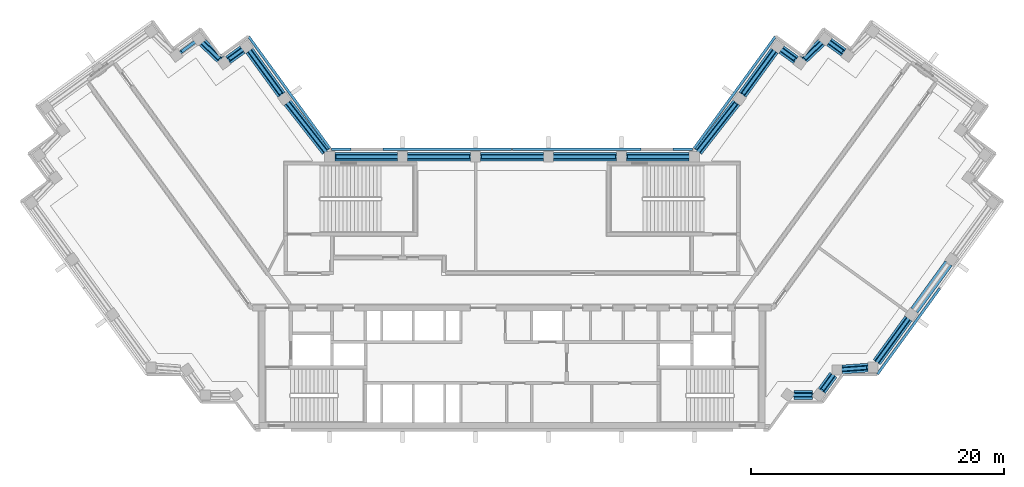
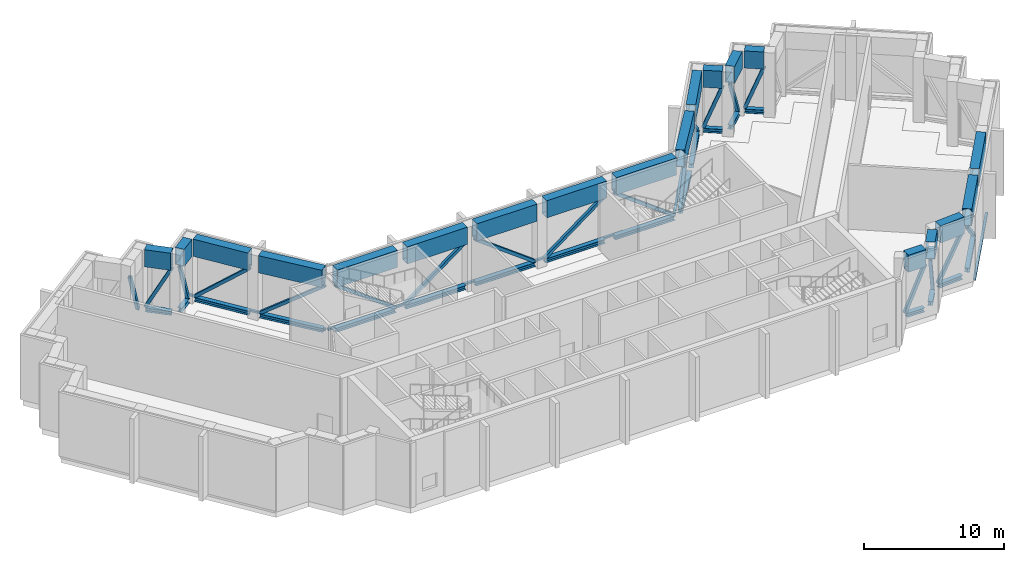
"""IFC4 building model written with IfcOpenShell, lengths in metres."""

from ifc_helpers import new_model, si_unit, direction, frame, origin, origin_2d, place, context, subcontext, project, spatial, rectangle, hollow_rectangle, i_section, extrude, material, material_profile, profile_set, type_object, element, aggregate, save


model = new_model("IFC4")

# Units and contexts
model_context = context("Model", 3, precision=1e-05, world=origin(), true_north=direction((0.0, 1.0)))
body_context = subcontext(model_context, "Body", "Model", "MODEL_VIEW")
ifc_project = project(units=[si_unit("LENGTHUNIT", "METRE"), si_unit("AREAUNIT", "SQUARE_METRE"), si_unit("VOLUMEUNIT", "CUBIC_METRE"), si_unit("PLANEANGLEUNIT", "RADIAN"), si_unit("MASSUNIT", "GRAM", prefix="KILO")], contexts=[model_context])

# Site, building, storey
site_placement = place(None, origin())
site = spatial("IfcSite", under=ifc_project, at=site_placement, CompositionType="ELEMENT")
building_placement = place(site_placement, origin())
building = spatial("IfcBuilding", under=site, at=building_placement, Name="Quipu Civic Tower", CompositionType="ELEMENT")
storey_1_placement = place(building_placement, frame((0.0, 0.0, 301.0)))
storey_1 = spatial("IfcBuildingStorey", under=building, at=storey_1_placement, Name="L70", CompositionType="ELEMENT", Elevation=301.0)

# Beams
ifc_material_1 = material(Name="Steel ASTM A992 Grade 50 (fy 345 MPa)", Category="steel")
ifc_material_profile_1 = material_profile(ifc_material_1, i_section(OverallWidth=0.368896484375, OverallDepth=0.356201171875, WebThickness=0.01123046875, FlangeThickness=0.01806640625, at=origin_2d()), Name="W360x134")
ifc_profile_set_1 = profile_set([ifc_material_profile_1], Name="Steel ASTM A992 Grade 50 (fy 345 MPa)")
beam_type_1 = type_object("IfcBeamType", Name="Belt truss bottom chord W360x134", PredefinedType="BEAM", material=ifc_profile_set_1)
beam_1_placement = place(storey_1_placement, frame((-18.208984375, 15.3984375, 0.278076171875), z_axis=(-0.58812775221, 0.808768042816, 0.0), x_axis=(-0.808768042816, -0.58812775221, 0.0)))
element("IfcBeam", 1, at=beam_1_placement, inside=storey_1, type_object=beam_type_1, Name="Truss bottom chord L70 W-IN-01 to T-Wi.0-W22", PredefinedType="BEAM", context=body_context, shape_type="SweptSolid", body=[
    extrude(i_section(OverallWidth=0.368896484375, OverallDepth=0.356201171875, WebThickness=0.01123046875, FlangeThickness=0.01806640625, at=origin_2d()), origin(), (0.0, 0.0, 1.0), 4.29443359375),
])
beam_2_placement = place(storey_1_placement, frame((-21.293701171875, 18.960205078125, 0.278076171875), z_axis=(-0.809452764948, -0.587184997524, 0.0), x_axis=(0.587184997524, -0.809452764948, 0.0)))
element("IfcBeam", 2, at=beam_2_placement, inside=storey_1, type_object=beam_type_1, Name="Truss bottom chord L70 T-Wi.0-W22 to T-Wi.1-W22", PredefinedType="BEAM", context=body_context, shape_type="SweptSolid", body=[
    extrude(i_section(OverallWidth=0.368896484375, OverallDepth=0.356201171875, WebThickness=0.01123046875, FlangeThickness=0.01806640625, at=origin_2d()), origin(), (0.0, 0.0, 1.0), 1.398193359375),
])
beam_3_placement = place(storey_1_placement, frame((-23.044189453125, 18.184326171875, 0.278076171875), z_axis=(-0.72506883804, 0.688676397232, 0.0), x_axis=(-0.688676397232, -0.72506883804, 0.0)))
element("IfcBeam", 3, at=beam_3_placement, inside=storey_1, type_object=beam_type_1, Name="Truss bottom chord L70 T-Wi.1-W22 to T-Wi.2-W22", PredefinedType="BEAM", context=body_context, shape_type="SweptSolid", body=[
    extrude(i_section(OverallWidth=0.368896484375, OverallDepth=0.356201171875, WebThickness=0.01123046875, FlangeThickness=0.01806640625, at=origin_2d()), origin(), (0.0, 0.0, 1.0), 1.93212890625),
])
beam_4_placement = place(storey_1_placement, frame((22.2861328125, -8.31494140625, 0.278076171875), z_axis=(1.0, 0.0, 0.0), x_axis=(0.0, 1.0, 0.0)))
element("IfcBeam", 4, at=beam_4_placement, inside=storey_1, type_object=beam_type_1, Name="Truss bottom chord L70 J-Eo.1 to J-Eo.2", PredefinedType="BEAM", context=body_context, shape_type="SweptSolid", body=[
    extrude(i_section(OverallWidth=0.368896484375, OverallDepth=0.356201171875, WebThickness=0.01123046875, FlangeThickness=0.01806640625, at=origin_2d()), origin(), (0.0, 0.0, 1.0), 1.454345703125),
])
beam_5_placement = place(storey_1_placement, frame((24.470458984375, -7.991455078125, 0.278076171875), z_axis=(0.588405601119, 0.808565920981, 0.0), x_axis=(-0.808565920981, 0.588405601119, 0.0)))
element("IfcBeam", 5, at=beam_5_placement, inside=storey_1, type_object=beam_type_1, Name="Truss bottom chord L70 J-Eo.2 to J-Eo.3", PredefinedType="BEAM", context=body_context, shape_type="SweptSolid", body=[
    extrude(i_section(OverallWidth=0.368896484375, OverallDepth=0.356201171875, WebThickness=0.01123046875, FlangeThickness=0.01806640625, at=origin_2d()), origin(), (0.0, 0.0, 1.0), 1.55126953125),
])
beam_6_placement = place(storey_1_placement, frame((26.074462890625, -6.307861328125, 0.278076171875), z_axis=(0.997372997143, 0.072436900614, 0.0), x_axis=(-0.072436900614, 0.997372997143, 0.0)))
element("IfcBeam", 6, at=beam_6_placement, inside=storey_1, type_object=beam_type_1, Name="Truss bottom chord L70 J-Eo.3 to J-Eo.4", PredefinedType="BEAM", context=body_context, shape_type="SweptSolid", body=[
    extrude(i_section(OverallWidth=0.368896484375, OverallDepth=0.356201171875, WebThickness=0.01123046875, FlangeThickness=0.01806640625, at=origin_2d()), origin(), (0.0, 0.0, 1.0), 2.055908203125),
])
beam_7_placement = place(storey_1_placement, frame((28.815673828125, -5.72998046875, 0.278076171875), z_axis=(0.58776850526, 0.809029161541, 0.0), x_axis=(-0.809029161541, 0.58776850526, 0.0)))
element("IfcBeam", 7, at=beam_7_placement, inside=storey_1, type_object=beam_type_1, Name="Truss bottom chord L70 J-Eo.4 to E-OUT-01", PredefinedType="BEAM", context=body_context, shape_type="SweptSolid", body=[
    extrude(i_section(OverallWidth=0.368896484375, OverallDepth=0.356201171875, WebThickness=0.01123046875, FlangeThickness=0.01806640625, at=origin_2d()), origin(), (0.0, 0.0, 1.0), 4.249267578125),
])
beam_8_placement = place(storey_1_placement, frame((26.195556640625, 18.73583984375, 0.278076171875), z_axis=(-0.808600329101, 0.588358315805, 0.0), x_axis=(-0.588358315805, -0.808600329101, 0.0)))
element("IfcBeam", 8, at=beam_8_placement, inside=storey_1, type_object=beam_type_1, Name="Truss bottom chord L70 T-Ei.1-E22 to T-Ei.2-E22", PredefinedType="BEAM", context=body_context, shape_type="SweptSolid", body=[
    extrude(i_section(OverallWidth=0.368896484375, OverallDepth=0.356201171875, WebThickness=0.01123046875, FlangeThickness=0.01806640625, at=origin_2d()), origin(), (0.0, 0.0, 1.0), 1.400146484375),
])
beam_9_placement = place(storey_1_placement, frame((24.445068359375, 19.514892578125, 0.278076171875), z_axis=(-0.72506883804, -0.688676397232, 0.0), x_axis=(0.688676397232, -0.72506883804, 0.0)))
element("IfcBeam", 9, at=beam_9_placement, inside=storey_1, type_object=beam_type_1, Name="Truss bottom chord L70 T-Ei.2-E22 to T-Ei.3-E22", PredefinedType="BEAM", context=body_context, shape_type="SweptSolid", body=[
    extrude(i_section(OverallWidth=0.368896484375, OverallDepth=0.356201171875, WebThickness=0.01123046875, FlangeThickness=0.01806640625, at=origin_2d()), origin(), (0.0, 0.0, 1.0), 1.93212890625),
])
beam_10_placement = place(storey_1_placement, frame((22.425537109375, 18.13916015625, 0.278076171875), z_axis=(-0.809452764948, 0.587184997524, 0.0), x_axis=(-0.587184997524, -0.809452764948, 0.0)))
element("IfcBeam", 10, at=beam_10_placement, inside=storey_1, type_object=beam_type_1, Name="Truss bottom chord L70 T-Ei.3-E22 to T-Ei.4-E22", PredefinedType="BEAM", context=body_context, shape_type="SweptSolid", body=[
    extrude(i_section(OverallWidth=0.368896484375, OverallDepth=0.356201171875, WebThickness=0.01123046875, FlangeThickness=0.01806640625, at=origin_2d()), origin(), (0.0, 0.0, 1.0), 1.398193359375),
])
beam_11_placement = place(storey_1_placement, frame((20.734619140625, 18.87158203125, 0.278076171875), z_axis=(-0.58812775221, -0.808768042816, 0.0), x_axis=(0.808768042816, -0.58812775221, 0.0)))
element("IfcBeam", 11, at=beam_11_placement, inside=storey_1, type_object=beam_type_1, Name="Truss bottom chord L70 T-Ei.4-E22 to E-IN-01", PredefinedType="BEAM", context=body_context, shape_type="SweptSolid", body=[
    extrude(i_section(OverallWidth=0.368896484375, OverallDepth=0.356201171875, WebThickness=0.01123046875, FlangeThickness=0.01806640625, at=origin_2d()), origin(), (0.0, 0.0, 1.0), 4.29443359375),
])
beam_12_placement = place(storey_1_placement, frame((17.72705078125, 14.759765625, 0.278076171875), z_axis=(-0.616090612932, -0.787675286306, 0.0), x_axis=(0.787675286306, -0.616090612932, 0.0)))
element("IfcBeam", 12, at=beam_12_placement, inside=storey_1, type_object=beam_type_1, Name="Truss bottom chord L70 E-IN-01 to J-Ei.0", PredefinedType="BEAM", context=body_context, shape_type="SweptSolid", body=[
    extrude(i_section(OverallWidth=0.368896484375, OverallDepth=0.356201171875, WebThickness=0.01123046875, FlangeThickness=0.01806640625, at=origin_2d()), origin(), (0.0, 0.0, 1.0), 4.900390625),
])
for number, where, z_axis, x_axis, name in (
    (13, (13.9951171875, 10.5, 0.278076171875), (-1.0, 0.0, 0.0), (0.0, -1.0, 0.0), "Truss bottom chord L70 J-Ei.0 to FRONT-01"),
    (14, (8.237060546875, 10.5, 0.278076171875), (-1.0, 0.0, 0.0), (0.0, -1.0, 0.0), "Truss bottom chord L70 FRONT-01 to FRONT-02"),
    (15, (2.47900390625, 10.5, 0.278076171875), (-1.0, 0.0, 0.0), (0.0, -1.0, 0.0), "Truss bottom chord L70 FRONT-02 to FRONT-03"),
    (16, (-3.279052734375, 10.5, 0.278076171875), (-1.0, 0.0, 0.0), (0.0, -1.0, 0.0), "Truss bottom chord L70 FRONT-03 to FRONT-04"),
    (17, (-9.037109375, 10.5, 0.278076171875), (-1.0, 0.0, 0.0), (0.0, -1.0, 0.0), "Truss bottom chord L70 FRONT-04 to J-Wi.0"),
):
    element("IfcBeam", number, at=place(storey_1_placement, frame(where, z_axis=z_axis, x_axis=x_axis)), inside=storey_1, type_object=beam_type_1, Name=name, PredefinedType="BEAM", context=body_context, shape_type="SweptSolid", body=[
        extrude(i_section(OverallWidth=0.368896484375, OverallDepth=0.356201171875, WebThickness=0.01123046875, FlangeThickness=0.01806640625, at=origin_2d()), origin(), (0.0, 0.0, 1.0), 4.9580078125),
    ])
beam_13_placement = place(storey_1_placement, frame((-14.7080078125, 10.89990234375, 0.278076171875), z_axis=(-0.616090612932, 0.787675286306, 0.0), x_axis=(-0.787675286306, -0.616090612932, 0.0)))
element("IfcBeam", 18, at=beam_13_placement, inside=storey_1, type_object=beam_type_1, Name="Truss bottom chord L70 J-Wi.0 to W-IN-01", PredefinedType="BEAM", context=body_context, shape_type="SweptSolid", body=[
    extrude(i_section(OverallWidth=0.368896484375, OverallDepth=0.356201171875, WebThickness=0.01123046875, FlangeThickness=0.01806640625, at=origin_2d()), origin(), (0.0, 0.0, 1.0), 4.900390625),
])

# Members
ifc_material_2 = material(Name="Steel ASTM A500 Grade C (fy 345 MPa)", Category="steel")
ifc_material_profile_2 = material_profile(ifc_material_2, hollow_rectangle(XDim=0.25390625, YDim=0.25390625, WallThickness=0.0126953125, at=origin_2d()), Name="HSS254x254x13")
ifc_profile_set_2 = profile_set([ifc_material_profile_2], Name="Steel ASTM A500 Grade C (fy 345 MPa)")
member_type_1 = type_object("IfcMemberType", Name="Belt truss diagonal HSS254x254x13", PredefinedType="BRACE", material=ifc_profile_set_2)
member_1_placement = place(storey_1_placement, frame((-18.208984375, 15.3984375, 4.14990234375), z_axis=(-0.445874108354, 0.613146937211, -0.652109739913), x_axis=(-0.808768042816, -0.58812775221, 0.0)))
element("IfcMember", 19, at=member_1_placement, inside=storey_1, type_object=member_type_1, Name="Truss diagonal L70 W-IN-01 to T-Wi.0-W22", PredefinedType="BRACE", context=body_context, shape_type="SweptSolid", body=[
    extrude(hollow_rectangle(XDim=0.25390625, YDim=0.25390625, WallThickness=0.0126953125, at=origin_2d()), origin(), (0.0, 0.0, 1.0), 5.66455078125),
])
member_2_placement = place(storey_1_placement, frame((-21.293701171875, 18.960205078125, 0.4560546875), z_axis=(-0.286566661556, -0.207878274981, 0.935235890712), x_axis=(0.587184997524, -0.809452764948, 0.0)))
element("IfcMember", 20, at=member_2_placement, inside=storey_1, type_object=member_type_1, Name="Truss diagonal L70 T-Wi.0-W22 to T-Wi.1-W22", PredefinedType="BRACE", context=body_context, shape_type="SweptSolid", body=[
    extrude(hollow_rectangle(XDim=0.25390625, YDim=0.25390625, WallThickness=0.0126953125, at=origin_2d()), origin(), (0.0, 0.0, 1.0), 3.94970703125),
])
member_3_placement = place(storey_1_placement, frame((-23.039306640625, 18.1796875, 4.14990234375), z_axis=(-0.337888769734, 0.320930004898, -0.884779696447), x_axis=(-0.688676903117, -0.725068357545, 0.0)))
element("IfcMember", 21, at=member_3_placement, inside=storey_1, type_object=member_type_1, Name="Truss diagonal L70 T-Wi.1-W22 to T-Wi.2-W22", PredefinedType="BRACE", context=body_context, shape_type="SweptSolid", body=[
    extrude(hollow_rectangle(XDim=0.25390625, YDim=0.25390625, WallThickness=0.0126953125, at=origin_2d()), origin(), (0.0, 0.0, 1.0), 4.1748046875),
])
member_4_placement = place(storey_1_placement, frame((-25.0634765625, 19.5595703125, 0.4560546875), z_axis=(-0.28658282793, -0.208525007858, 0.935086949879), x_axis=(0.588358315805, -0.808600329101, 0.0)))
element("IfcMember", 22, at=member_4_placement, inside=storey_1, type_object=member_type_1, Name="Truss diagonal L70 T-Wi.2-W22 to T-Wi.3-W22", PredefinedType="BRACE", context=body_context, shape_type="SweptSolid", body=[
    extrude(hollow_rectangle(XDim=0.25390625, YDim=0.25390625, WallThickness=0.0126953125, at=origin_2d()), origin(), (0.0, 0.0, 1.0), 3.9501953125),
])
member_5_placement = place(storey_1_placement, frame((22.19189453125, -8.31494140625, 0.4560546875), z_axis=(0.406418602557, 0.0, 0.913686992079), x_axis=(0.0, 1.0, 0.0)))
element("IfcMember", 23, at=member_5_placement, inside=storey_1, type_object=member_type_1, Name="Truss diagonal L70 J-Eo.1 to J-Eo.2", PredefinedType="BRACE", context=body_context, shape_type="SweptSolid", body=[
    extrude(hollow_rectangle(XDim=0.25390625, YDim=0.25390625, WallThickness=0.0126953125, at=origin_2d()), origin(), (0.0, 0.0, 1.0), 4.042724609375),
])
member_6_placement = place(storey_1_placement, frame((24.470458984375, -7.991455078125, 4.14990234375), z_axis=(0.239489967764, 0.329140232985, -0.913406405917), x_axis=(-0.808601379045, 0.58835687283, 0.0)))
element("IfcMember", 24, at=member_6_placement, inside=storey_1, type_object=member_type_1, Name="Truss diagonal L70 J-Eo.2 to J-Eo.3", PredefinedType="BRACE", context=body_context, shape_type="SweptSolid", body=[
    extrude(hollow_rectangle(XDim=0.25390625, YDim=0.25390625, WallThickness=0.0126953125, at=origin_2d()), origin(), (0.0, 0.0, 1.0), 4.0439453125),
])
member_7_placement = place(storey_1_placement, frame((26.0732421875, -6.30810546875, 0.4560546875), z_axis=(0.485448497566, 0.035277001904, 0.873553255015), x_axis=(-0.072477769643, 0.997370028078, 0.0)))
element("IfcMember", 25, at=member_7_placement, inside=storey_1, type_object=member_type_1, Name="Truss diagonal L70 J-Eo.3 to J-Eo.4", PredefinedType="BRACE", context=body_context, shape_type="SweptSolid", body=[
    extrude(hollow_rectangle(XDim=0.25390625, YDim=0.25390625, WallThickness=0.0126953125, at=origin_2d()), origin(), (0.0, 0.0, 1.0), 4.228515625),
])
member_8_placement = place(storey_1_placement, frame((28.760009765625, -5.806396484375, 4.14990234375), z_axis=(0.447776863455, 0.616303324973, -0.647816403143), x_axis=(-0.809013069445, 0.587790654457, 0.0)))
element("IfcMember", 26, at=member_8_placement, inside=storey_1, type_object=member_type_1, Name="Truss diagonal L70 J-Eo.4 to E-OUT-01", PredefinedType="BRACE", context=body_context, shape_type="SweptSolid", body=[
    extrude(hollow_rectangle(XDim=0.25390625, YDim=0.25390625, WallThickness=0.0126953125, at=origin_2d()), origin(), (0.0, 0.0, 1.0), 5.701904296875),
])
member_9_placement = place(storey_1_placement, frame((26.195556640625, 18.73583984375, 4.14990234375), z_axis=(-0.28658282793, 0.208525007858, -0.935086949879), x_axis=(-0.588358315805, -0.808600329101, 0.0)))
element("IfcMember", 27, at=member_9_placement, inside=storey_1, type_object=member_type_1, Name="Truss diagonal L70 T-Ei.1-E22 to T-Ei.2-E22", PredefinedType="BRACE", context=body_context, shape_type="SweptSolid", body=[
    extrude(hollow_rectangle(XDim=0.25390625, YDim=0.25390625, WallThickness=0.0126953125, at=origin_2d()), origin(), (0.0, 0.0, 1.0), 3.9501953125),
])
member_10_placement = place(storey_1_placement, frame((24.449951171875, 19.51953125, 0.4560546875), z_axis=(-0.337888769734, -0.320930004898, 0.884779696447), x_axis=(0.688676903117, -0.725068357545, 0.0)))
element("IfcMember", 28, at=member_10_placement, inside=storey_1, type_object=member_type_1, Name="Truss diagonal L70 T-Ei.2-E22 to T-Ei.3-E22", PredefinedType="BRACE", context=body_context, shape_type="SweptSolid", body=[
    extrude(hollow_rectangle(XDim=0.25390625, YDim=0.25390625, WallThickness=0.0126953125, at=origin_2d()), origin(), (0.0, 0.0, 1.0), 4.1748046875),
])
member_11_placement = place(storey_1_placement, frame((22.425537109375, 18.13916015625, 4.14990234375), z_axis=(-0.286566661556, 0.207878274981, -0.935235890712), x_axis=(-0.587184997524, -0.809452764948, 0.0)))
element("IfcMember", 29, at=member_11_placement, inside=storey_1, type_object=member_type_1, Name="Truss diagonal L70 T-Ei.3-E22 to T-Ei.4-E22", PredefinedType="BRACE", context=body_context, shape_type="SweptSolid", body=[
    extrude(hollow_rectangle(XDim=0.25390625, YDim=0.25390625, WallThickness=0.0126953125, at=origin_2d()), origin(), (0.0, 0.0, 1.0), 3.94970703125),
])
member_12_placement = place(storey_1_placement, frame((20.734619140625, 18.87158203125, 0.4560546875), z_axis=(-0.445874108354, -0.613146937211, 0.652109739913), x_axis=(0.808768042816, -0.58812775221, 0.0)))
element("IfcMember", 30, at=member_12_placement, inside=storey_1, type_object=member_type_1, Name="Truss diagonal L70 T-Ei.4-E22 to E-IN-01", PredefinedType="BRACE", context=body_context, shape_type="SweptSolid", body=[
    extrude(hollow_rectangle(XDim=0.25390625, YDim=0.25390625, WallThickness=0.0126953125, at=origin_2d()), origin(), (0.0, 0.0, 1.0), 5.66455078125),
])
member_13_placement = place(storey_1_placement, frame((17.72705078125, 14.760009765625, 4.14990234375), z_axis=(-0.49581112429, -0.633906958876, -0.593576698093), x_axis=(0.787679847042, -0.616084781961, 0.0)))
element("IfcMember", 31, at=member_13_placement, inside=storey_1, type_object=member_type_1, Name="Truss diagonal L70 E-IN-01 to J-Ei.0", PredefinedType="BRACE", context=body_context, shape_type="SweptSolid", body=[
    extrude(hollow_rectangle(XDim=0.25390625, YDim=0.25390625, WallThickness=0.0126953125, at=origin_2d()), origin(), (0.0, 0.0, 1.0), 6.22314453125),
])
for number, where, z_axis, x_axis, name in (
    (32, (13.9951171875, 10.5, 0.4560546875), (-0.801910277593, 0.0, 0.597444480007), (0.0, -1.0, 0.0), "Truss diagonal L70 J-Ei.0 to FRONT-01"),
    (33, (8.237060546875, 10.5, 4.14990234375), (-0.801910277593, 0.0, -0.597444480007), (0.0, -1.0, 0.0), "Truss diagonal L70 FRONT-01 to FRONT-02"),
    (34, (2.47900390625, 10.5, 0.4560546875), (-0.801910277593, 0.0, 0.597444480007), (0.0, -1.0, 0.0), "Truss diagonal L70 FRONT-02 to FRONT-03"),
    (35, (-3.279052734375, 10.5, 4.14990234375), (-0.801910277593, 0.0, -0.597444480007), (0.0, -1.0, 0.0), "Truss diagonal L70 FRONT-03 to FRONT-04"),
    (36, (-9.037109375, 10.5, 0.4560546875), (-0.801910277593, 0.0, 0.597444480007), (0.0, -1.0, 0.0), "Truss diagonal L70 FRONT-04 to J-Wi.0"),
):
    element("IfcMember", number, at=place(storey_1_placement, frame(where, z_axis=z_axis, x_axis=x_axis)), inside=storey_1, type_object=member_type_1, Name=name, PredefinedType="BRACE", context=body_context, shape_type="SweptSolid", body=[
        extrude(hollow_rectangle(XDim=0.25390625, YDim=0.25390625, WallThickness=0.0126953125, at=origin_2d()), origin(), (0.0, 0.0, 1.0), 6.182861328125),
    ])
member_14_placement = place(storey_1_placement, frame((-14.6416015625, 10.815185546875, 4.14990234375), z_axis=(-0.49581112429, 0.633906958876, -0.593576698093), x_axis=(-0.787679847042, -0.616084781961, 0.0)))
element("IfcMember", 37, at=member_14_placement, inside=storey_1, type_object=member_type_1, Name="Truss diagonal L70 J-Wi.0 to W-IN-01", PredefinedType="BRACE", context=body_context, shape_type="SweptSolid", body=[
    extrude(hollow_rectangle(XDim=0.25390625, YDim=0.25390625, WallThickness=0.0126953125, at=origin_2d()), origin(), (0.0, 0.0, 1.0), 6.22314453125),
])

# Beams
ifc_material_3 = material(Name="Steel ASTM A572 Grade 50 (fy 345 MPa)", Category="steel")
ifc_material_profile_3 = material_profile(ifc_material_3, hollow_rectangle(XDim=0.699951171875, YDim=1.5, WallThickness=0.050048828125, at=origin_2d()), Name="BX1500x700x50")
ifc_profile_set_3 = profile_set([ifc_material_profile_3], Name="Steel ASTM A572 Grade 50 (fy 345 MPa)")
beam_type_2 = type_object("IfcBeamType", Name="Belt truss top chord BX1500x700x50", PredefinedType="BEAM", material=ifc_profile_set_3)
beam_14_placement = place(storey_1_placement, frame((-18.208984375, 15.3984375, 4.89990234375), z_axis=(-0.58812775221, 0.808768042816, 0.0), x_axis=(-0.808768042816, -0.58812775221, 0.0)))
element("IfcBeam", 38, at=beam_14_placement, inside=storey_1, type_object=beam_type_2, Name="Truss top chord L70 W-IN-01 to T-Wi.0-W22", PredefinedType="BEAM", context=body_context, shape_type="SweptSolid", body=[
    extrude(hollow_rectangle(XDim=0.699951171875, YDim=1.5, WallThickness=0.050048828125, at=origin_2d()), origin(), (0.0, 0.0, 1.0), 4.29443359375),
])
beam_15_placement = place(storey_1_placement, frame((-21.293701171875, 18.960205078125, 4.89990234375), z_axis=(-0.809452764948, -0.587184997524, 0.0), x_axis=(0.587184997524, -0.809452764948, 0.0)))
element("IfcBeam", 39, at=beam_15_placement, inside=storey_1, type_object=beam_type_2, Name="Truss top chord L70 T-Wi.0-W22 to T-Wi.1-W22", PredefinedType="BEAM", context=body_context, shape_type="SweptSolid", body=[
    extrude(hollow_rectangle(XDim=0.699951171875, YDim=1.5, WallThickness=0.050048828125, at=origin_2d()), origin(), (0.0, 0.0, 1.0), 1.398193359375),
])
beam_16_placement = place(storey_1_placement, frame((-23.044189453125, 18.184326171875, 4.89990234375), z_axis=(-0.72506883804, 0.688676397232, 0.0), x_axis=(-0.688676397232, -0.72506883804, 0.0)))
element("IfcBeam", 40, at=beam_16_placement, inside=storey_1, type_object=beam_type_2, Name="Truss top chord L70 T-Wi.1-W22 to T-Wi.2-W22", PredefinedType="BEAM", context=body_context, shape_type="SweptSolid", body=[
    extrude(hollow_rectangle(XDim=0.699951171875, YDim=1.5, WallThickness=0.050048828125, at=origin_2d()), origin(), (0.0, 0.0, 1.0), 1.93212890625),
])
beam_17_placement = place(storey_1_placement, frame((22.2861328125, -8.31494140625, 4.89990234375), z_axis=(1.0, 0.0, 0.0), x_axis=(0.0, 1.0, 0.0)))
element("IfcBeam", 41, at=beam_17_placement, inside=storey_1, type_object=beam_type_2, Name="Truss top chord L70 J-Eo.1 to J-Eo.2", PredefinedType="BEAM", context=body_context, shape_type="SweptSolid", body=[
    extrude(hollow_rectangle(XDim=0.699951171875, YDim=1.5, WallThickness=0.050048828125, at=origin_2d()), origin(), (0.0, 0.0, 1.0), 1.454345703125),
])
beam_18_placement = place(storey_1_placement, frame((24.470458984375, -7.991455078125, 4.89990234375), z_axis=(0.588405601119, 0.808565920981, 0.0), x_axis=(-0.808565920981, 0.588405601119, 0.0)))
element("IfcBeam", 42, at=beam_18_placement, inside=storey_1, type_object=beam_type_2, Name="Truss top chord L70 J-Eo.2 to J-Eo.3", PredefinedType="BEAM", context=body_context, shape_type="SweptSolid", body=[
    extrude(hollow_rectangle(XDim=0.699951171875, YDim=1.5, WallThickness=0.050048828125, at=origin_2d()), origin(), (0.0, 0.0, 1.0), 1.55126953125),
])
beam_19_placement = place(storey_1_placement, frame((26.074462890625, -6.307861328125, 4.89990234375), z_axis=(0.997372997143, 0.072436900614, 0.0), x_axis=(-0.072436900614, 0.997372997143, 0.0)))
element("IfcBeam", 43, at=beam_19_placement, inside=storey_1, type_object=beam_type_2, Name="Truss top chord L70 J-Eo.3 to J-Eo.4", PredefinedType="BEAM", context=body_context, shape_type="SweptSolid", body=[
    extrude(hollow_rectangle(XDim=0.699951171875, YDim=1.5, WallThickness=0.050048828125, at=origin_2d()), origin(), (0.0, 0.0, 1.0), 2.055908203125),
])
beam_20_placement = place(storey_1_placement, frame((28.815673828125, -5.72998046875, 4.89990234375), z_axis=(0.58776850526, 0.809029161541, 0.0), x_axis=(-0.809029161541, 0.58776850526, 0.0)))
element("IfcBeam", 44, at=beam_20_placement, inside=storey_1, type_object=beam_type_2, Name="Truss top chord L70 J-Eo.4 to E-OUT-01", PredefinedType="BEAM", context=body_context, shape_type="SweptSolid", body=[
    extrude(hollow_rectangle(XDim=0.699951171875, YDim=1.5, WallThickness=0.050048828125, at=origin_2d()), origin(), (0.0, 0.0, 1.0), 4.249267578125),
])
beam_21_placement = place(storey_1_placement, frame((31.783447265625, -1.64501953125, 4.89990234375), z_axis=(0.587796098864, 0.809009113768, 0.0), x_axis=(-0.809009113768, 0.587796098864, 0.0)))
element("IfcBeam", 45, at=beam_21_placement, inside=storey_1, type_object=beam_type_2, Name="Truss top chord L70 E-OUT-01 to E-OUT-02", PredefinedType="BEAM", context=body_context, shape_type="SweptSolid", body=[
    extrude(hollow_rectangle(XDim=0.699951171875, YDim=1.5, WallThickness=0.050048828125, at=origin_2d()), origin(), (0.0, 0.0, 1.0), 4.60009765625),
])
beam_22_placement = place(storey_1_placement, frame((26.195556640625, 18.73583984375, 4.89990234375), z_axis=(-0.808600329101, 0.588358315805, 0.0), x_axis=(-0.588358315805, -0.808600329101, 0.0)))
element("IfcBeam", 46, at=beam_22_placement, inside=storey_1, type_object=beam_type_2, Name="Truss top chord L70 T-Ei.1-E22 to T-Ei.2-E22", PredefinedType="BEAM", context=body_context, shape_type="SweptSolid", body=[
    extrude(hollow_rectangle(XDim=0.699951171875, YDim=1.5, WallThickness=0.050048828125, at=origin_2d()), origin(), (0.0, 0.0, 1.0), 1.400146484375),
])
beam_23_placement = place(storey_1_placement, frame((24.445068359375, 19.514892578125, 4.89990234375), z_axis=(-0.72506883804, -0.688676397232, 0.0), x_axis=(0.688676397232, -0.72506883804, 0.0)))
element("IfcBeam", 47, at=beam_23_placement, inside=storey_1, type_object=beam_type_2, Name="Truss top chord L70 T-Ei.2-E22 to T-Ei.3-E22", PredefinedType="BEAM", context=body_context, shape_type="SweptSolid", body=[
    extrude(hollow_rectangle(XDim=0.699951171875, YDim=1.5, WallThickness=0.050048828125, at=origin_2d()), origin(), (0.0, 0.0, 1.0), 1.93212890625),
])
beam_24_placement = place(storey_1_placement, frame((22.425537109375, 18.13916015625, 4.89990234375), z_axis=(-0.809452764948, 0.587184997524, 0.0), x_axis=(-0.587184997524, -0.809452764948, 0.0)))
element("IfcBeam", 48, at=beam_24_placement, inside=storey_1, type_object=beam_type_2, Name="Truss top chord L70 T-Ei.3-E22 to T-Ei.4-E22", PredefinedType="BEAM", context=body_context, shape_type="SweptSolid", body=[
    extrude(hollow_rectangle(XDim=0.699951171875, YDim=1.5, WallThickness=0.050048828125, at=origin_2d()), origin(), (0.0, 0.0, 1.0), 1.398193359375),
])
beam_25_placement = place(storey_1_placement, frame((20.734619140625, 18.87158203125, 4.89990234375), z_axis=(-0.58812775221, -0.808768042816, 0.0), x_axis=(0.808768042816, -0.58812775221, 0.0)))
element("IfcBeam", 49, at=beam_25_placement, inside=storey_1, type_object=beam_type_2, Name="Truss top chord L70 T-Ei.4-E22 to E-IN-01", PredefinedType="BEAM", context=body_context, shape_type="SweptSolid", body=[
    extrude(hollow_rectangle(XDim=0.699951171875, YDim=1.5, WallThickness=0.050048828125, at=origin_2d()), origin(), (0.0, 0.0, 1.0), 4.29443359375),
])
beam_26_placement = place(storey_1_placement, frame((17.72705078125, 14.759765625, 4.89990234375), z_axis=(-0.616090612932, -0.787675286306, 0.0), x_axis=(0.787675286306, -0.616090612932, 0.0)))
element("IfcBeam", 50, at=beam_26_placement, inside=storey_1, type_object=beam_type_2, Name="Truss top chord L70 E-IN-01 to J-Ei.0", PredefinedType="BEAM", context=body_context, shape_type="SweptSolid", body=[
    extrude(hollow_rectangle(XDim=0.699951171875, YDim=1.5, WallThickness=0.050048828125, at=origin_2d()), origin(), (0.0, 0.0, 1.0), 4.900390625),
])
for number, where, z_axis, x_axis, name in (
    (51, (13.9951171875, 10.5, 4.89990234375), (-1.0, 0.0, 0.0), (0.0, -1.0, 0.0), "Truss top chord L70 J-Ei.0 to FRONT-01"),
    (52, (8.237060546875, 10.5, 4.89990234375), (-1.0, 0.0, 0.0), (0.0, -1.0, 0.0), "Truss top chord L70 FRONT-01 to FRONT-02"),
    (53, (2.47900390625, 10.5, 4.89990234375), (-1.0, 0.0, 0.0), (0.0, -1.0, 0.0), "Truss top chord L70 FRONT-02 to FRONT-03"),
    (54, (-3.279052734375, 10.5, 4.89990234375), (-1.0, 0.0, 0.0), (0.0, -1.0, 0.0), "Truss top chord L70 FRONT-03 to FRONT-04"),
    (55, (-9.037109375, 10.5, 4.89990234375), (-1.0, 0.0, 0.0), (0.0, -1.0, 0.0), "Truss top chord L70 FRONT-04 to J-Wi.0"),
):
    element("IfcBeam", number, at=place(storey_1_placement, frame(where, z_axis=z_axis, x_axis=x_axis)), inside=storey_1, type_object=beam_type_2, Name=name, PredefinedType="BEAM", context=body_context, shape_type="SweptSolid", body=[
        extrude(hollow_rectangle(XDim=0.699951171875, YDim=1.5, WallThickness=0.050048828125, at=origin_2d()), origin(), (0.0, 0.0, 1.0), 4.9580078125),
    ])
beam_27_placement = place(storey_1_placement, frame((-14.7080078125, 10.89990234375, 4.89990234375), z_axis=(-0.616090612932, 0.787675286306, 0.0), x_axis=(-0.787675286306, -0.616090612932, 0.0)))
element("IfcBeam", 56, at=beam_27_placement, inside=storey_1, type_object=beam_type_2, Name="Truss top chord L70 J-Wi.0 to W-IN-01", PredefinedType="BEAM", context=body_context, shape_type="SweptSolid", body=[
    extrude(hollow_rectangle(XDim=0.699951171875, YDim=1.5, WallThickness=0.050048828125, at=origin_2d()), origin(), (0.0, 0.0, 1.0), 4.900390625),
])

# Storey
storey_2_placement = place(building_placement, frame((0.0, 0.0, 297.0)))
storey_2 = spatial("IfcBuildingStorey", under=building, at=storey_2_placement, Name="L69", CompositionType="ELEMENT", Elevation=297.0)

# Curtain wall, member
ifc_material_4 = material(Name="Insulated glass unit", Category="glass")
curtain_wall_type = type_object("IfcCurtainWallType", Name="Office curtain wall CW1", PredefinedType="NOTDEFINED", material=ifc_material_4)
curtain_wall_1_placement = place(storey_2_placement, origin())
curtain_wall_1 = element("IfcCurtainWall", 57, at=curtain_wall_1_placement, inside=storey_2, type_object=curtain_wall_type, Name="Office curtain wall CW1 L68 run 1", PredefinedType="NOTDEFINED")
ifc_material_5 = material(Name="Anodised aluminium", Category="aluminium")
ifc_material_profile_4 = material_profile(ifc_material_5, rectangle(XDim=0.199951171875, YDim=0.159912109375, at=origin_2d()), Name="RECT 200x160")
ifc_profile_set_4 = profile_set([ifc_material_profile_4], Name="Anodised aluminium")
member_type_2 = type_object("IfcMemberType", Name="Transom CW1", PredefinedType="USERDEFINED", material=ifc_profile_set_4)
member_15_placement = place(storey_1_placement, frame((-14.39111328125, 11.164794921875, 0.0), z_axis=(-0.587796859727, 0.809008560953, 0.0), x_axis=(-0.809008560953, -0.587796859727, 0.0)))
member_15 = element("IfcMember", 58, at=member_15_placement, inside=storey_1, type_object=member_type_2, Name="CW1 transom 1.3", ObjectType="TRANSOM", PredefinedType="USERDEFINED", context=body_context, shape_type="SweptSolid", body=[
    extrude(rectangle(XDim=0.199951171875, YDim=0.159912109375, at=origin_2d()), origin(), (0.0, 0.0, 1.0), 10.88427734375),
])
aggregate(curtain_wall_1, [member_15])

curtain_wall_2_placement = place(storey_2_placement, origin())
curtain_wall_2 = element("IfcCurtainWall", 59, at=curtain_wall_2_placement, inside=storey_2, type_object=curtain_wall_type, Name="Office curtain wall CW1 L68 run 23", PredefinedType="NOTDEFINED")
member_16_placement = place(storey_1_placement, frame((28.876708984375, -6.66650390625, 0.0), z_axis=(0.587812107925, 0.808997481935, 0.0), x_axis=(-0.808997481935, 0.587812107925, 0.0)))
member_16 = element("IfcMember", 60, at=member_16_placement, inside=storey_1, type_object=member_type_2, Name="CW1 transom 1.3", ObjectType="TRANSOM", PredefinedType="USERDEFINED", context=body_context, shape_type="SweptSolid", body=[
    extrude(rectangle(XDim=0.199951171875, YDim=0.159912109375, at=origin_2d()), origin(), (0.0, 0.0, 1.0), 8.35791015625),
])
aggregate(curtain_wall_2, [member_16])

curtain_wall_3_placement = place(storey_2_placement, origin())
curtain_wall_3 = element("IfcCurtainWall", 61, at=curtain_wall_3_placement, inside=storey_2, type_object=curtain_wall_type, Name="Office curtain wall CW1 L68 run 33", PredefinedType="NOTDEFINED")
member_17_placement = place(storey_1_placement, frame((20.788818359375, 19.97021484375, 0.0), z_axis=(-0.587796859727, -0.809008560953, 0.0), x_axis=(0.809008560953, -0.587796859727, 0.0)))
member_17 = element("IfcMember", 62, at=member_17_placement, inside=storey_1, type_object=member_type_2, Name="CW1 transom 1.3", ObjectType="TRANSOM", PredefinedType="USERDEFINED", context=body_context, shape_type="SweptSolid", body=[
    extrude(rectangle(XDim=0.199951171875, YDim=0.159912109375, at=origin_2d()), origin(), (0.0, 0.0, 1.0), 10.88427734375),
])
aggregate(curtain_wall_3, [member_17])

curtain_wall_4_placement = place(storey_2_placement, origin())
curtain_wall_4 = element("IfcCurtainWall", 63, at=curtain_wall_4_placement, inside=storey_2, type_object=curtain_wall_type, Name="Office curtain wall CW1 L68 run 34", PredefinedType="NOTDEFINED")
member_18_placement = place(storey_1_placement, frame((14.26416015625, 11.10009765625, 0.0), z_axis=(-1.0, 0.0, 0.0), x_axis=(0.0, -1.0, 0.0)))
member_18 = element("IfcMember", 64, at=member_18_placement, inside=storey_1, type_object=member_type_2, Name="CW1 transom 1.3", ObjectType="TRANSOM", PredefinedType="USERDEFINED", context=body_context, shape_type="SweptSolid", body=[
    extrude(rectangle(XDim=0.199951171875, YDim=0.159912109375, at=origin_2d()), origin(), (0.0, 0.0, 1.0), 1.529052734375),
])
aggregate(curtain_wall_4, [member_18])

# Curtain wall, members
curtain_wall_5_placement = place(storey_2_placement, origin())
curtain_wall_5 = element("IfcCurtainWall", 65, at=curtain_wall_5_placement, inside=storey_2, type_object=curtain_wall_type, Name="Office curtain wall CW1 L68 run 36", PredefinedType="NOTDEFINED")
member_19_placement = place(storey_1_placement, frame((10.18359375, 11.10009765625, 0.0), z_axis=(-1.0, 0.0, 0.0), x_axis=(0.0, -1.0, 0.0)))
member_19 = element("IfcMember", 66, at=member_19_placement, inside=storey_1, type_object=member_type_2, Name="CW1 transom 1.3", ObjectType="TRANSOM", PredefinedType="USERDEFINED", context=body_context, shape_type="SweptSolid", body=[
    extrude(rectangle(XDim=0.199951171875, YDim=0.159912109375, at=origin_2d()), origin(), (0.0, 0.0, 1.0), 10.1435546875),
])
member_20_placement = place(storey_1_placement, frame((-0.0400390625, 11.10009765625, 0.0), z_axis=(-1.0, 0.0, 0.0), x_axis=(0.0, -1.0, 0.0)))
member_20 = element("IfcMember", 67, at=member_20_placement, inside=storey_1, type_object=member_type_2, Name="CW1 transom 2.3", ObjectType="TRANSOM", PredefinedType="USERDEFINED", context=body_context, shape_type="SweptSolid", body=[
    extrude(rectangle(XDim=0.199951171875, YDim=0.159912109375, at=origin_2d()), origin(), (0.0, 0.0, 1.0), 10.1435546875),
])
aggregate(curtain_wall_5, [member_19, member_20])

# Curtain wall, member
curtain_wall_6_placement = place(storey_2_placement, origin())
curtain_wall_6 = element("IfcCurtainWall", 68, at=curtain_wall_6_placement, inside=storey_2, type_object=curtain_wall_type, Name="Office curtain wall CW1 L68 run 38", PredefinedType="NOTDEFINED")
member_21_placement = place(storey_1_placement, frame((-12.735107421875, 11.10009765625, 0.0), z_axis=(-1.0, 0.0, 0.0), x_axis=(0.0, -1.0, 0.0)))
member_21 = element("IfcMember", 69, at=member_21_placement, inside=storey_1, type_object=member_type_2, Name="CW1 transom 1.3", ObjectType="TRANSOM", PredefinedType="USERDEFINED", context=body_context, shape_type="SweptSolid", body=[
    extrude(rectangle(XDim=0.199951171875, YDim=0.159912109375, at=origin_2d()), origin(), (0.0, 0.0, 1.0), 1.529052734375),
])
aggregate(curtain_wall_6, [member_21])

save(model, "model.ifc")
